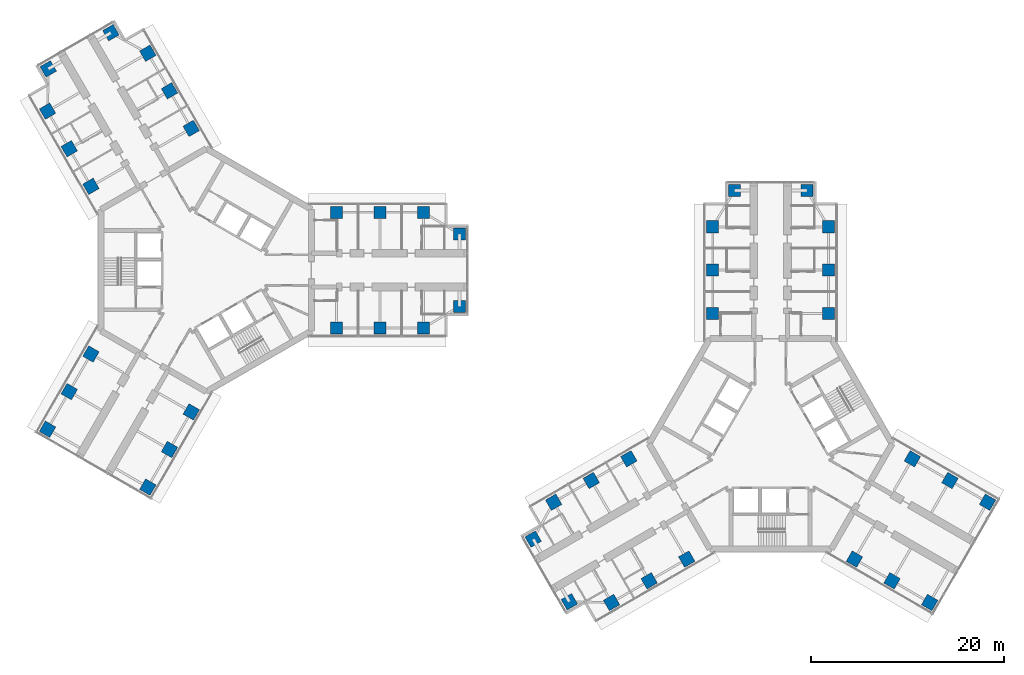
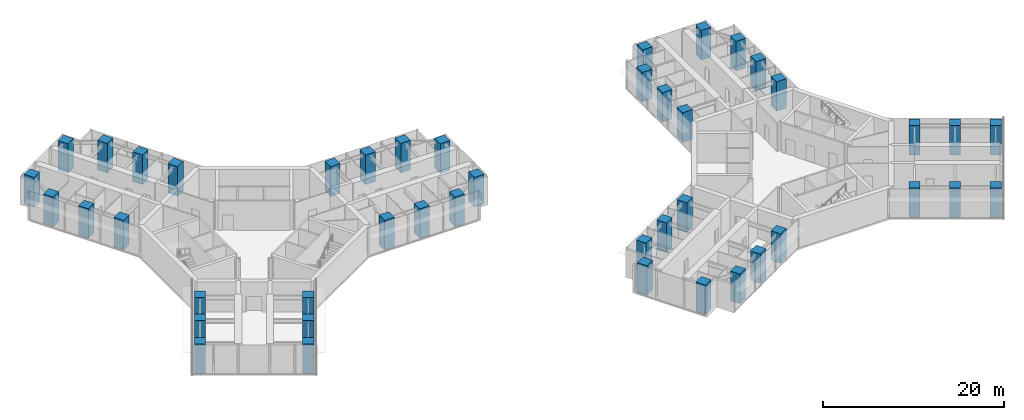
# One storey, part 1 of 23: 44 columns.
"""IFC4 building model written with IfcOpenShell, lengths in metres."""

from ifc_helpers import new_model, si_unit, direction, frame, origin, origin_2d, place, context, subcontext, project, spatial, rectangle, extrude, material, material_profile, profile_set, type_object, element, save


model = new_model("IFC4")

# Units and contexts
model_context = context("Model", 3, precision=1e-05, world=origin(), true_north=direction((0.0, 1.0)))
body_context = subcontext(model_context, "Body", "Model", "MODEL_VIEW")
ifc_project = project(units=[si_unit("LENGTHUNIT", "METRE"), si_unit("AREAUNIT", "SQUARE_METRE"), si_unit("VOLUMEUNIT", "CUBIC_METRE"), si_unit("PLANEANGLEUNIT", "RADIAN"), si_unit("MASSUNIT", "GRAM", prefix="KILO")], contexts=[model_context])

# Site, building, storey
site_placement = place(None, origin())
site = spatial("IfcSite", under=ifc_project, at=site_placement, CompositionType="ELEMENT")
building_placement = place(site_placement, origin())
building = spatial("IfcBuilding", under=site, at=building_placement, Name="Upepo Twin Towers", CompositionType="ELEMENT")
storey_placement = place(building_placement, frame((0.0, 0.0, 153.5)))
storey = spatial("IfcBuildingStorey", under=building, at=storey_placement, Name="L37", CompositionType="ELEMENT", Elevation=153.5)

# Columns
ifc_material = material(Name="Concrete C60/75", Category="concrete")
ifc_material_profile = material_profile(ifc_material, rectangle(XDim=1.25, YDim=1.25, at=origin_2d()), Name="RC 1250x1250")
ifc_profile_set = profile_set([ifc_material_profile], Name="Concrete C60/75")
column_type = type_object("IfcColumnType", Name="Tower column RC 1250x1250", PredefinedType="COLUMN", material=ifc_profile_set)
for number, where, z_axis, x_axis, name in (
    (1, (13.5, 6.0, 0.0), (0.0, 0.0, 1.0), (1.0, 0.0, 0.0), "T1 column AL135"),
    (2, (13.5, -6.0, 0.0), (0.0, 0.0, 1.0), (1.0, 0.0, 0.0), "T1 column AR135"),
    (3, (18.0, 6.0, 0.0), (0.0, 0.0, 1.0), (1.0, 0.0, 0.0), "T1 column AL180"),
    (4, (18.0, -6.0, 0.0), (0.0, 0.0, 1.0), (1.0, 0.0, 0.0), "T1 column AR180"),
    (5, (22.5, 6.0, 0.0), (0.0, 0.0, 1.0), (1.0, 0.0, 0.0), "T1 column AL225"),
    (6, (22.5, -6.0, 0.0), (0.0, 0.0, 1.0), (1.0, 0.0, 0.0), "T1 column AR225"),
    (7, (26.25, 3.75, 0.0), (0.0, 0.0, 1.0), (1.0, 0.0, 0.0), "T1 column ALN"),
    (8, (26.25, -3.75, 0.0), (0.0, 0.0, 1.0), (1.0, 0.0, 0.0), "T1 column ARN"),
    (9, (-11.946044921875, 8.69140625, 0.0), (0.0, 0.0, 1.0), (0.866025403784, 0.5, 0.0), "T1 column BL135"),
    (10, (-1.553955078125, 14.69140625, 0.0), (0.0, 0.0, 1.0), (0.866025403784, 0.5, 0.0), "T1 column BR135"),
    (11, (-14.196044921875, 12.58837890625, 0.0), (0.0, 0.0, 1.0), (0.866025403784, 0.5, 0.0), "T1 column BL180"),
    (12, (-3.803955078125, 18.58837890625, 0.0), (0.0, 0.0, 1.0), (0.866025403784, 0.5, 0.0), "T1 column BR180"),
    (13, (-16.446044921875, 16.485595703125, 0.0), (0.0, 0.0, 1.0), (0.866025403784, 0.5, 0.0), "T1 column BL225"),
    (14, (-6.053955078125, 22.485595703125, 0.0), (0.0, 0.0, 1.0), (0.866025403784, 0.5, 0.0), "T1 column BR225"),
    (15, (-16.37255859375, 20.858154296875, 0.0), (0.0, 0.0, 1.0), (0.866025403784, 0.5, 0.0), "T1 column BLN"),
    (16, (-9.87744140625, 24.608154296875, 0.0), (0.0, 0.0, 1.0), (0.866025403784, 0.5, 0.0), "T1 column BRN"),
    (17, (-1.553955078125, -14.69140625, 0.0), (0.0, 0.0, 1.0), (0.5, 0.866025403784, 0.0), "T1 column CL135"),
    (18, (-11.946044921875, -8.69140625, 0.0), (0.0, 0.0, 1.0), (0.5, 0.866025403784, 0.0), "T1 column CR135"),
    (19, (-3.803955078125, -18.58837890625, 0.0), (0.0, 0.0, 1.0), (0.5, 0.866025403784, 0.0), "T1 column CL180"),
    (20, (-14.196044921875, -12.58837890625, 0.0), (0.0, 0.0, 1.0), (0.5, 0.866025403784, 0.0), "T1 column CR180"),
    (21, (-6.053955078125, -22.485595703125, 0.0), (0.0, 0.0, 1.0), (0.5, 0.866025403784, 0.0), "T1 column CL225"),
    (22, (-16.446044921875, -16.485595703125, 0.0), (0.0, 0.0, 1.0), (0.5, 0.866025403784, 0.0), "T1 column CR225"),
    (23, (52.5, -4.5, 0.0), (0.0, 0.0, 1.0), (1.0, 0.0, 0.0), "T2 column AL135"),
    (24, (64.5, -4.5, 0.0), (0.0, 0.0, 1.0), (1.0, 0.0, 0.0), "T2 column AR135"),
    (25, (52.5, 0.0, 0.0), (0.0, 0.0, 1.0), (1.0, 0.0, 0.0), "T2 column AL180"),
    (26, (64.5, 0.0, 0.0), (0.0, 0.0, 1.0), (1.0, 0.0, 0.0), "T2 column AR180"),
    (27, (52.5, 4.5, 0.0), (0.0, 0.0, 1.0), (1.0, 0.0, 0.0), "T2 column AL225"),
    (28, (64.5, 4.5, 0.0), (0.0, 0.0, 1.0), (1.0, 0.0, 0.0), "T2 column AR225"),
    (29, (54.75, 8.25, 0.0), (0.0, 0.0, 1.0), (1.0, 0.0, 0.0), "T2 column ALN"),
    (30, (62.25, 8.25, 0.0), (0.0, 0.0, 1.0), (1.0, 0.0, 0.0), "T2 column ARN"),
    (31, (49.80859375, -29.946044921875, 0.0), (0.0, 0.0, 1.0), (0.866025403784, 0.5, 0.0), "T2 column BL135"),
    (32, (43.80859375, -19.553955078125, 0.0), (0.0, 0.0, 1.0), (0.866025403784, 0.5, 0.0), "T2 column BR135"),
    (33, (45.91162109375, -32.196044921875, 0.0), (0.0, 0.0, 1.0), (0.866025403784, 0.5, 0.0), "T2 column BL180"),
    (34, (39.91162109375, -21.803955078125, 0.0), (0.0, 0.0, 1.0), (0.866025403784, 0.5, 0.0), "T2 column BR180"),
    (35, (42.014404296875, -34.446044921875, 0.0), (0.0, 0.0, 1.0), (0.866025403784, 0.5, 0.0), "T2 column BL225"),
    (36, (36.014404296875, -24.053955078125, 0.0), (0.0, 0.0, 1.0), (0.866025403784, 0.5, 0.0), "T2 column BR225"),
    (37, (37.641845703125, -34.37255859375, 0.0), (0.0, 0.0, 1.0), (0.866025403784, 0.5, 0.0), "T2 column BLN"),
    (38, (33.891845703125, -27.87744140625, 0.0), (0.0, 0.0, 1.0), (0.866025403784, 0.5, 0.0), "T2 column BRN"),
    (39, (73.19140625, -19.553955078125, 0.0), (0.0, 0.0, 1.0), (0.5, 0.866025403784, 0.0), "T2 column CL135"),
    (40, (67.19140625, -29.946044921875, 0.0), (0.0, 0.0, 1.0), (0.5, 0.866025403784, 0.0), "T2 column CR135"),
    (41, (77.08837890625, -21.803955078125, 0.0), (0.0, 0.0, 1.0), (0.5, 0.866025403784, 0.0), "T2 column CL180"),
    (42, (71.08837890625, -32.196044921875, 0.0), (0.0, 0.0, 1.0), (0.5, 0.866025403784, 0.0), "T2 column CR180"),
    (43, (80.985595703125, -24.053955078125, 0.0), (0.0, 0.0, 1.0), (0.5, 0.866025403784, 0.0), "T2 column CL225"),
    (44, (74.985595703125, -34.446044921875, 0.0), (0.0, 0.0, 1.0), (0.5, 0.866025403784, 0.0), "T2 column CR225"),
):
    element("IfcColumn", number, at=place(storey_placement, frame(where, z_axis=z_axis, x_axis=x_axis)), inside=storey, type_object=column_type, Name=name, PredefinedType="COLUMN", context=body_context, shape_type="SweptSolid", body=[
        extrude(rectangle(XDim=1.25, YDim=1.25, at=origin_2d()), origin(), (0.0, 0.0, 1.0), 4.0),
    ])

save(model, "model.ifc")
